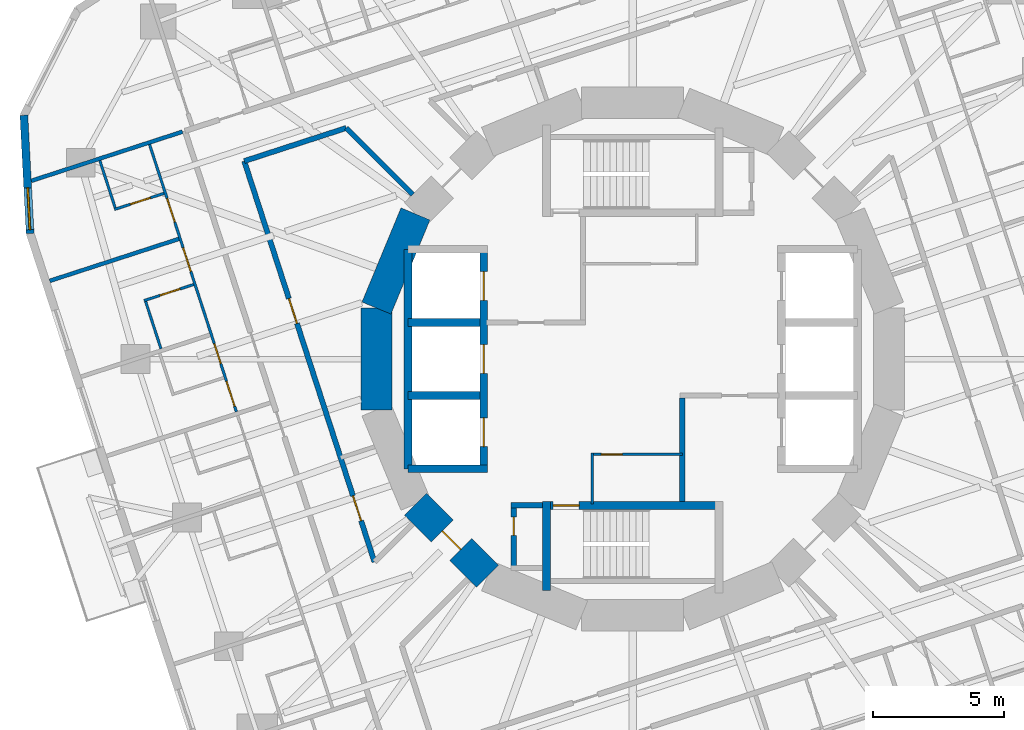
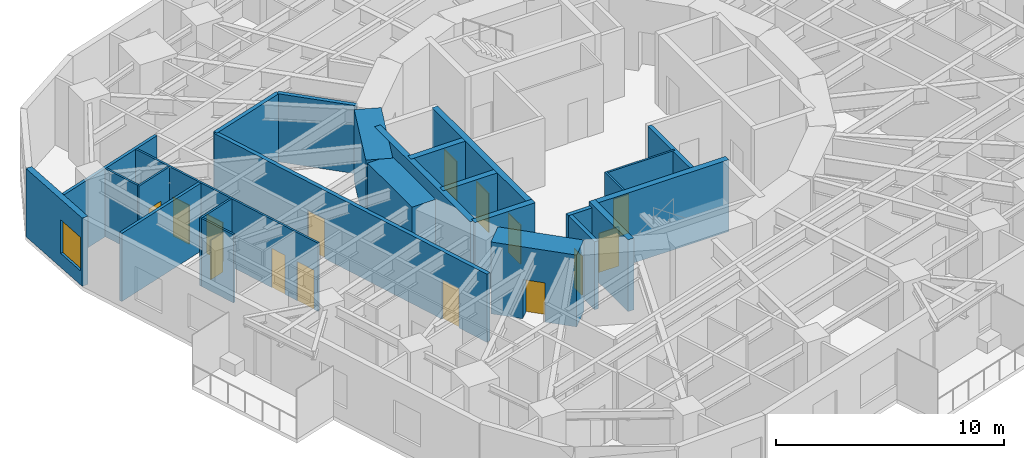
# One storey, part 6 of 13: 26 walls, 15 doors, 1 window, 16 openings.
"""IFC4 building model written with IfcOpenShell, lengths in metres."""

from ifc_helpers import new_model, si_unit, direction, frame, frame_2d, origin, place, context, subcontext, project, spatial, rectangle, extrude, material, layer, layer_set, type_object, element, fill, save


model = new_model("IFC4")

# Units and contexts
model_context = context("Model", 3, precision=1e-05, world=origin(), true_north=direction((0.0, 1.0)))
body_context = subcontext(model_context, "Body", "Model", "MODEL_VIEW")
ifc_project = project(units=[si_unit("LENGTHUNIT", "METRE"), si_unit("AREAUNIT", "SQUARE_METRE"), si_unit("VOLUMEUNIT", "CUBIC_METRE"), si_unit("PLANEANGLEUNIT", "RADIAN"), si_unit("MASSUNIT", "GRAM", prefix="KILO")], contexts=[model_context])

# Site, building, storey
site_placement = place(None, origin())
site = spatial("IfcSite", under=ifc_project, at=site_placement, CompositionType="ELEMENT")
building_placement = place(site_placement, origin())
building = spatial("IfcBuilding", under=site, at=building_placement, Name="Nakasero Lantern House", CompositionType="ELEMENT")
storey_placement = place(building_placement, frame((0.0, 0.0, 161.050048828125)))
storey = spatial("IfcBuildingStorey", under=building, at=storey_placement, Name="L39", CompositionType="ELEMENT", Elevation=161.050048828125)

# Wall, openings, doors
ifc_material_1 = material(Name="Blockwork", Category="masonry")
ifc_layer_1 = layer(ifc_material_1, 0.10009765625)
ifc_layer_set_1 = layer_set([ifc_layer_1], Name="Cluster hall wall 100")
wall_type_1 = type_object("IfcWallType", Name="Cluster hall wall 100", PredefinedType="PARTITIONING", material=ifc_layer_set_1)
wall_1_placement = place(storey_placement, frame((-18.492919921875, 8.21240234375, 0.0), z_axis=(0.0, 0.0, 1.0), x_axis=(0.309022441572, -0.951054746376, 0.0)))
wall_1 = element("IfcWall", 1, at=wall_1_placement, inside=storey, type_object=wall_type_1, Name="Cluster hall wall L39 HW2-0", PredefinedType="PARTITIONING", context=body_context, shape_type="SweptSolid", body=[
    extrude(rectangle(XDim=10.758056640625, YDim=0.10009765625, at=frame_2d((5.37890625, 0.0))), origin(), (0.0, 0.0, 1.0), 3.64990234375),
])
opening_1_placement = place(wall_1_placement, frame((9.532958984375, 0.0, 0.0)))
opening_1 = element("IfcOpeningElement", 2, at=opening_1_placement, cuts=wall_1, Name="Opening D03", PredefinedType="OPENING", context=body_context, shape_type="SweptSolid", body=[
    extrude(rectangle(XDim=1.0, YDim=2.10009765625, at=frame_2d((0.5, 1.050048828125))), frame((0.0, 0.070068359375, 0.0), z_axis=(0.0, -1.0, 0.0), x_axis=(1.0, 0.0, 0.0)), (0.0, 0.0, 1.0), 0.14013671875),
])
opening_2_placement = place(wall_1_placement, frame((8.01904296875, 0.0, 0.0)))
opening_2 = element("IfcOpeningElement", 3, at=opening_2_placement, cuts=wall_1, Name="Opening D02", PredefinedType="OPENING", context=body_context, shape_type="SweptSolid", body=[
    extrude(rectangle(XDim=0.800048828125, YDim=2.10009765625, at=frame_2d((0.39990234375, 1.050048828125))), frame((0.0, 0.070068359375, 0.0), z_axis=(0.0, -1.0, 0.0), x_axis=(1.0, 0.0, 0.0)), (0.0, 0.0, 1.0), 0.14013671875),
])
opening_3_placement = place(wall_1_placement, frame((2.175048828125, 0.0, 0.0)))
opening_3 = element("IfcOpeningElement", 4, at=opening_3_placement, cuts=wall_1, Name="Opening D01", PredefinedType="OPENING", context=body_context, shape_type="SweptSolid", body=[
    extrude(rectangle(XDim=0.949951171875, YDim=2.10009765625, at=frame_2d((0.47509765625, 1.050048828125))), frame((0.0, 0.070068359375, 0.0), z_axis=(0.0, -1.0, 0.0), x_axis=(1.0, 0.0, 0.0)), (0.0, 0.0, 1.0), 0.14013671875),
])
opening_4_placement = place(wall_1_placement, frame((4.159423828125, 0.0, 0.0)))
opening_4 = element("IfcOpeningElement", 5, at=opening_4_placement, cuts=wall_1, Name="Opening D01", PredefinedType="OPENING", context=body_context, shape_type="SweptSolid", body=[
    extrude(rectangle(XDim=0.949951171875, YDim=2.10009765625, at=frame_2d((0.47509765625, 1.050048828125))), frame((0.0, 0.070068359375, 0.0), z_axis=(0.0, -1.0, 0.0), x_axis=(1.0, 0.0, 0.0)), (0.0, 0.0, 1.0), 0.14013671875),
])
ifc_material_2 = material(Name="Timber C24", Category="wood")
door_type_1 = type_object("IfcDoorType", Name="Bedroom door FD30S 950", OperationType="SINGLE_SWING_LEFT", PredefinedType="DOOR", material=ifc_material_2)
door_1_placement = place(opening_3_placement, origin())
door_1 = element("IfcDoor", 6, at=door_1_placement, inside=storey, type_object=door_type_1, Name="Door L39 D2-00", OperationType="SINGLE_SWING_LEFT", OverallHeight=2.10009765625, OverallWidth=0.949951171875, PredefinedType="DOOR", context=body_context, shape_type="SweptSolid", body=[
    extrude(rectangle(XDim=0.949951171875, YDim=2.10009765625, at=frame_2d((0.47509765625, 1.050048828125))), frame((0.0, 0.02490234375, 0.0), z_axis=(0.0, -1.0, 0.0), x_axis=(1.0, 0.0, 0.0)), (0.0, 0.0, 1.0), 0.050048828125),
])
fill(opening_3, door_1)
door_2_placement = place(opening_4_placement, origin())
door_2 = element("IfcDoor", 7, at=door_2_placement, inside=storey, type_object=door_type_1, Name="Door L39 D2-01", OperationType="SINGLE_SWING_LEFT", OverallHeight=2.10009765625, OverallWidth=0.949951171875, PredefinedType="DOOR", context=body_context, shape_type="SweptSolid", body=[
    extrude(rectangle(XDim=0.949951171875, YDim=2.10009765625, at=frame_2d((0.47509765625, 1.050048828125))), frame((0.0, 0.02490234375, 0.0), z_axis=(0.0, -1.0, 0.0), x_axis=(1.0, 0.0, 0.0)), (0.0, 0.0, 1.0), 0.050048828125),
])
fill(opening_4, door_2)
ifc_material_3 = material(Name="Timber C24", Category="wood")
door_type_2 = type_object("IfcDoorType", Name="En-suite door 800", OperationType="SINGLE_SWING_RIGHT", PredefinedType="DOOR", material=ifc_material_3)
door_3_placement = place(opening_2_placement, origin())
door_3 = element("IfcDoor", 8, at=door_3_placement, inside=storey, type_object=door_type_2, Name="Door L39 DSH2-0", OperationType="SINGLE_SWING_RIGHT", OverallHeight=2.10009765625, OverallWidth=0.800048828125, PredefinedType="DOOR", context=body_context, shape_type="SweptSolid", body=[
    extrude(rectangle(XDim=0.800048828125, YDim=2.10009765625, at=frame_2d((0.39990234375, 1.050048828125))), frame((0.0, 0.02490234375, 0.0), z_axis=(0.0, -1.0, 0.0), x_axis=(1.0, 0.0, 0.0)), (0.0, 0.0, 1.0), 0.050048828125),
])
fill(opening_2, door_3)
ifc_material_4 = material(Name="Timber C24", Category="wood")
door_type_3 = type_object("IfcDoorType", Name="Lounge door FD30S 1000", OperationType="SINGLE_SWING_LEFT", PredefinedType="DOOR", material=ifc_material_4)
door_4_placement = place(opening_1_placement, origin())
door_4 = element("IfcDoor", 9, at=door_4_placement, inside=storey, type_object=door_type_3, Name="Door L39 DH2-0", OperationType="SINGLE_SWING_RIGHT", OverallHeight=2.10009765625, OverallWidth=1.0, PredefinedType="DOOR", context=body_context, shape_type="SweptSolid", body=[
    extrude(rectangle(XDim=1.0, YDim=2.10009765625, at=frame_2d((0.5, 1.050048828125))), frame((0.0, 0.02490234375, 0.0), z_axis=(0.0, -1.0, 0.0), x_axis=(1.0, 0.0, 0.0)), (0.0, 0.0, 1.0), 0.050048828125),
])
fill(opening_1, door_4)

ifc_material_5 = material(Name="Concrete C50/60", Category="concrete")
ifc_layer_2 = layer(ifc_material_5, 0.300048828125)
ifc_layer_set_2 = layer_set([ifc_layer_2], Name="Core inner wall 300")
wall_type_2 = type_object("IfcWallType", Name="Core inner wall 300", PredefinedType="SHEAR", material=ifc_layer_set_2)
wall_2_placement = place(storey_placement, frame((-5.699951171875, -4.199951171875, 0.0), z_axis=(0.0, 0.0, 1.0), x_axis=(0.0, 1.0, 0.0)))
wall_2 = element("IfcWall", 10, at=wall_2_placement, inside=storey, type_object=wall_type_2, Name="Core inner wall L39 LW", PredefinedType="SHEAR", context=body_context, shape_type="SweptSolid", body=[
    extrude(rectangle(XDim=8.39990234375, YDim=0.300048828125, at=frame_2d((4.199951171875, 0.0))), origin(), (0.0, 0.0, 1.0), 3.849853515625),
])
opening_5_placement = place(wall_2_placement, frame((0.85009765625, 0.0, 0.0)))
opening_5 = element("IfcOpeningElement", 11, at=opening_5_placement, cuts=wall_2, Name="Opening LD", PredefinedType="OPENING", context=body_context, shape_type="SweptSolid", body=[
    extrude(rectangle(XDim=1.10009765625, YDim=2.10009765625, at=frame_2d((0.550048828125, 1.050048828125))), frame((0.0, 0.169921875, 0.0), z_axis=(0.0, -1.0, 0.0), x_axis=(1.0, 0.0, 0.0)), (0.0, 0.0, 1.0), 0.340087890625),
])
opening_6_placement = place(wall_2_placement, frame((3.64990234375, 0.0, 0.0)))
opening_6 = element("IfcOpeningElement", 12, at=opening_6_placement, cuts=wall_2, Name="Opening LD", PredefinedType="OPENING", context=body_context, shape_type="SweptSolid", body=[
    extrude(rectangle(XDim=1.10009765625, YDim=2.10009765625, at=frame_2d((0.550048828125, 1.050048828125))), frame((0.0, 0.169921875, 0.0), z_axis=(0.0, -1.0, 0.0), x_axis=(1.0, 0.0, 0.0)), (0.0, 0.0, 1.0), 0.340087890625),
])
opening_7_placement = place(wall_2_placement, frame((6.449951171875, 0.0, 0.0)))
opening_7 = element("IfcOpeningElement", 13, at=opening_7_placement, cuts=wall_2, Name="Opening LD", PredefinedType="OPENING", context=body_context, shape_type="SweptSolid", body=[
    extrude(rectangle(XDim=1.10009765625, YDim=2.10009765625, at=frame_2d((0.550048828125, 1.050048828125))), frame((0.0, 0.169921875, 0.0), z_axis=(0.0, -1.0, 0.0), x_axis=(1.0, 0.0, 0.0)), (0.0, 0.0, 1.0), 0.340087890625),
])
ifc_material_6 = material(Name="Steel S355", Category="steel")
door_type_4 = type_object("IfcDoorType", Name="Lift landing door E120 1100", OperationType="SLIDING_TO_LEFT", PredefinedType="DOOR", material=ifc_material_6)
door_5_placement = place(opening_5_placement, origin())
door_5 = element("IfcDoor", 14, at=door_5_placement, inside=storey, type_object=door_type_4, Name="Lift landing door LW1", OperationType="SLIDING_TO_LEFT", OverallHeight=2.10009765625, OverallWidth=1.10009765625, PredefinedType="DOOR", context=body_context, shape_type="SweptSolid", body=[
    extrude(rectangle(XDim=1.10009765625, YDim=2.10009765625, at=frame_2d((0.550048828125, 1.050048828125))), frame((0.0, 0.02490234375, 0.0), z_axis=(0.0, -1.0, 0.0), x_axis=(1.0, 0.0, 0.0)), (0.0, 0.0, 1.0), 0.050048828125),
])
fill(opening_5, door_5)
door_6_placement = place(opening_6_placement, origin())
door_6 = element("IfcDoor", 15, at=door_6_placement, inside=storey, type_object=door_type_4, Name="Lift landing door LW2", OperationType="SLIDING_TO_LEFT", OverallHeight=2.10009765625, OverallWidth=1.10009765625, PredefinedType="DOOR", context=body_context, shape_type="SweptSolid", body=[
    extrude(rectangle(XDim=1.10009765625, YDim=2.10009765625, at=frame_2d((0.550048828125, 1.050048828125))), frame((0.0, 0.02490234375, 0.0), z_axis=(0.0, -1.0, 0.0), x_axis=(1.0, 0.0, 0.0)), (0.0, 0.0, 1.0), 0.050048828125),
])
fill(opening_6, door_6)
door_7_placement = place(opening_7_placement, origin())
door_7 = element("IfcDoor", 16, at=door_7_placement, inside=storey, type_object=door_type_4, Name="Lift landing door LW3", OperationType="SLIDING_TO_LEFT", OverallHeight=2.10009765625, OverallWidth=1.10009765625, PredefinedType="DOOR", context=body_context, shape_type="SweptSolid", body=[
    extrude(rectangle(XDim=1.10009765625, YDim=2.10009765625, at=frame_2d((0.550048828125, 1.050048828125))), frame((0.0, 0.02490234375, 0.0), z_axis=(0.0, -1.0, 0.0), x_axis=(1.0, 0.0, 0.0)), (0.0, 0.0, 1.0), 0.050048828125),
])
fill(opening_7, door_7)

# Walls
wall_3_placement = place(storey_placement, frame((-8.60009765625, -4.199951171875, 0.0), z_axis=(0.0, 0.0, 1.0), x_axis=(1.0, 0.0, 0.0)))
element("IfcWall", 17, at=wall_3_placement, inside=storey, type_object=wall_type_2, Name="Core inner wall L39 LWS", PredefinedType="SHEAR", context=body_context, shape_type="SweptSolid", body=[
    extrude(rectangle(XDim=3.050048828125, YDim=0.300048828125, at=frame_2d((1.52490234375, 0.0))), origin(), (0.0, 0.0, 1.0), 3.849853515625),
])
wall_4_placement = place(storey_placement, frame((-8.60009765625, -4.199951171875, 0.0), z_axis=(0.0, 0.0, 1.0), x_axis=(0.0, 1.0, 0.0)))
element("IfcWall", 18, at=wall_4_placement, inside=storey, type_object=wall_type_2, Name="Core inner wall L39 LWB", PredefinedType="SHEAR", context=body_context, shape_type="SweptSolid", body=[
    extrude(rectangle(XDim=8.39990234375, YDim=0.300048828125, at=frame_2d((4.199951171875, 0.0))), origin(), (0.0, 0.0, 1.0), 3.849853515625),
])
for number, where, z_axis, x_axis, name in (
    (19, (-8.60009765625, -1.39990234375, 0.0), (0.0, 0.0, 1.0), (1.0, 0.0, 0.0), "Core inner wall L39 LW1"),
    (20, (-8.60009765625, 1.39990234375, 0.0), (0.0, 0.0, 1.0), (1.0, 0.0, 0.0), "Core inner wall L39 LW2"),
):
    element("IfcWall", number, at=place(storey_placement, frame(where, z_axis=z_axis, x_axis=x_axis)), inside=storey, type_object=wall_type_2, Name=name, PredefinedType="SHEAR", context=body_context, shape_type="SweptSolid", body=[
        extrude(rectangle(XDim=2.75, YDim=0.300048828125, at=frame_2d((1.375, 0.0))), origin(), (0.0, 0.0, 1.0), 3.849853515625),
    ])

# Wall, opening, door
wall_5_placement = place(storey_placement, frame((-3.449951171875, -5.60009765625, 0.0), z_axis=(0.0, 0.0, 1.0), x_axis=(1.0, 0.0, 0.0)))
wall_5 = element("IfcWall", 21, at=wall_5_placement, inside=storey, type_object=wall_type_2, Name="Core inner wall L39 SS", PredefinedType="SHEAR", context=body_context, shape_type="SweptSolid", body=[
    extrude(rectangle(XDim=6.89990234375, YDim=0.300048828125, at=frame_2d((3.449951171875, 0.0))), origin(), (0.0, 0.0, 1.0), 3.849853515625),
])
opening_8_placement = place(wall_5_placement, frame((0.39990234375, 0.0, 0.0)))
opening_8 = element("IfcOpeningElement", 22, at=opening_8_placement, cuts=wall_5, Name="Opening D05", PredefinedType="OPENING", context=body_context, shape_type="SweptSolid", body=[
    extrude(rectangle(XDim=1.0, YDim=2.10009765625, at=frame_2d((0.5, 1.050048828125))), frame((0.0, 0.169921875, 0.0), z_axis=(0.0, -1.0, 0.0), x_axis=(1.0, 0.0, 0.0)), (0.0, 0.0, 1.0), 0.340087890625),
])
ifc_material_7 = material(Name="Timber C24", Category="wood")
door_type_5 = type_object("IfcDoorType", Name="Core door FD60S 1000", OperationType="SINGLE_SWING_LEFT", PredefinedType="DOOR", material=ifc_material_7)
door_8_placement = place(opening_8_placement, origin())
door_8 = element("IfcDoor", 23, at=door_8_placement, inside=storey, type_object=door_type_5, Name="Door L39 D-ST2", OperationType="SINGLE_SWING_LEFT", OverallHeight=2.10009765625, OverallWidth=1.0, PredefinedType="DOOR", context=body_context, shape_type="SweptSolid", body=[
    extrude(rectangle(XDim=1.0, YDim=2.10009765625, at=frame_2d((0.5, 1.050048828125))), frame((0.0, 0.02490234375, 0.0), z_axis=(0.0, -1.0, 0.0), x_axis=(1.0, 0.0, 0.0)), (0.0, 0.0, 1.0), 0.050048828125),
])
fill(opening_8, door_8)

# Wall
wall_6_placement = place(storey_placement, frame((-3.300048828125, -5.449951171875, 0.0), z_axis=(0.0, 0.0, 1.0), x_axis=(0.0, -1.0, 0.0)))
element("IfcWall", 24, at=wall_6_placement, inside=storey, type_object=wall_type_2, Name="Core inner wall L39 SSW", PredefinedType="SHEAR", context=body_context, shape_type="SweptSolid", body=[
    extrude(rectangle(XDim=3.400146484375, YDim=0.300048828125, at=frame_2d((1.7001953125, 0.0))), origin(), (0.0, 0.0, 1.0), 3.849853515625),
])

# Wall, opening, door
ifc_material_8 = material(Name="Blockwork", Category="masonry")
ifc_layer_3 = layer(ifc_material_8, 0.10009765625)
ifc_layer_set_3 = layer_set([ifc_layer_3], Name="Core room wall 100")
wall_type_3 = type_object("IfcWallType", Name="Core room wall 100", PredefinedType="PARTITIONING", material=ifc_layer_set_3)
wall_7_placement = place(storey_placement, frame((-1.60009765625, -3.64990234375, 0.0), z_axis=(0.0, 0.0, 1.0), x_axis=(1.0, 0.0, 0.0)))
wall_7 = element("IfcWall", 25, at=wall_7_placement, inside=storey, type_object=wall_type_3, Name="Core room wall L39 CR-SWN", PredefinedType="PARTITIONING", context=body_context, shape_type="SweptSolid", body=[
    extrude(rectangle(XDim=3.5, YDim=0.10009765625, at=frame_2d((1.75, 0.0))), origin(), (0.0, 0.0, 1.0), 3.64990234375),
])
opening_9_placement = place(wall_7_placement, frame((0.39990234375, 0.0, 0.0)))
opening_9 = element("IfcOpeningElement", 26, at=opening_9_placement, cuts=wall_7, Name="Opening D15", PredefinedType="OPENING", context=body_context, shape_type="SweptSolid", body=[
    extrude(rectangle(XDim=0.800048828125, YDim=2.10009765625, at=frame_2d((0.39990234375, 1.050048828125))), frame((0.0, 0.070068359375, 0.0), z_axis=(0.0, -1.0, 0.0), x_axis=(1.0, 0.0, 0.0)), (0.0, 0.0, 1.0), 0.14013671875),
])
ifc_material_9 = material(Name="Timber C24", Category="wood")
door_type_6 = type_object("IfcDoorType", Name="Cleaner's store door FD30S 800", OperationType="SINGLE_SWING_LEFT", PredefinedType="DOOR", material=ifc_material_9)
door_9_placement = place(opening_9_placement, origin())
door_9 = element("IfcDoor", 27, at=door_9_placement, inside=storey, type_object=door_type_6, Name="Door L39 D-CR-SW", OperationType="SINGLE_SWING_LEFT", OverallHeight=2.10009765625, OverallWidth=0.800048828125, PredefinedType="DOOR", context=body_context, shape_type="SweptSolid", body=[
    extrude(rectangle(XDim=0.800048828125, YDim=2.10009765625, at=frame_2d((0.39990234375, 1.050048828125))), frame((0.0, 0.02490234375, 0.0), z_axis=(0.0, -1.0, 0.0), x_axis=(1.0, 0.0, 0.0)), (0.0, 0.0, 1.0), 0.050048828125),
])
fill(opening_9, door_9)

# Walls
wall_8_placement = place(storey_placement, frame((-1.550048828125, -5.550048828125, 0.0), z_axis=(0.0, 0.0, 1.0), x_axis=(0.0, 1.0, 0.0)))
element("IfcWall", 28, at=wall_8_placement, inside=storey, type_object=wall_type_3, Name="Core room wall L39 CR-SWW", PredefinedType="PARTITIONING", context=body_context, shape_type="SweptSolid", body=[
    extrude(rectangle(XDim=1.949951171875, YDim=0.10009765625, at=frame_2d((0.97509765625, 0.0))), origin(), (0.0, 0.0, 1.0), 3.64990234375),
])
ifc_material_10 = material(Name="Concrete C50/60", Category="concrete")
ifc_layer_4 = layer(ifc_material_10, 1.199951171875)
ifc_layer_set_4 = layer_set([ifc_layer_4], Name="Core wall 1200")
wall_type_4 = type_object("IfcWallType", Name="Core wall 1200", PredefinedType="SHEAR", material=ifc_layer_set_4)
for number, where, z_axis, x_axis, name in (
    (29, (-8.314697265625, 5.5556640625, 0.0), (0.0, 0.0, 1.0), (-0.382690736062, -0.923876507187, 0.0), "Core wall L39 facet 7"),
    (30, (-9.807861328125, 1.950927734375, 0.0), (0.0, 0.0, 1.0), (0.0, -1.0, 0.0), "Core wall L39 facet 8"),
):
    element("IfcWall", number, at=place(storey_placement, frame(where, z_axis=z_axis, x_axis=x_axis)), inside=storey, type_object=wall_type_4, Name=name, PredefinedType="SHEAR", context=body_context, shape_type="SweptSolid", body=[
        extrude(rectangle(XDim=3.90185546875, YDim=1.199951171875, at=frame_2d((1.950927734375, 0.0))), origin(), (0.0, 0.0, 1.0), 3.849853515625),
    ])

# Wall, opening, door
wall_9_placement = place(storey_placement, frame((-8.314697265625, -5.5556640625, 0.0), z_axis=(0.0, 0.0, 1.0), x_axis=(0.707106781187, -0.707106781187, 0.0)))
wall_9 = element("IfcWall", 31, at=wall_9_placement, inside=storey, type_object=wall_type_4, Name="Core wall L39 facet 10", PredefinedType="SHEAR", context=body_context, shape_type="SweptSolid", body=[
    extrude(rectangle(XDim=3.90185546875, YDim=1.199951171875, at=frame_2d((1.950927734375, 0.0))), origin(), (0.0, 0.0, 1.0), 3.849853515625),
])
opening_10_placement = place(wall_9_placement, frame((1.450927734375, 0.0, 0.0)))
opening_10 = element("IfcOpeningElement", 32, at=opening_10_placement, cuts=wall_9, Name="Opening D05", PredefinedType="OPENING", context=body_context, shape_type="SweptSolid", body=[
    extrude(rectangle(XDim=1.0, YDim=2.10009765625, at=frame_2d((0.5, 1.050048828125))), frame((0.0, 0.619873046875, 0.0), z_axis=(0.0, -1.0, 0.0), x_axis=(1.0, 0.0, 0.0)), (0.0, 0.0, 1.0), 1.239990234375),
])
door_10_placement = place(opening_10_placement, origin())
door_10 = element("IfcDoor", 33, at=door_10_placement, inside=storey, type_object=door_type_5, Name="Door L39 D-CORE10", OperationType="SINGLE_SWING_LEFT", OverallHeight=2.10009765625, OverallWidth=1.0, PredefinedType="DOOR", context=body_context, shape_type="SweptSolid", body=[
    extrude(rectangle(XDim=1.0, YDim=2.10009765625, at=frame_2d((0.5, 1.050048828125))), frame((0.0, 0.02490234375, 0.0), z_axis=(0.0, -1.0, 0.0), x_axis=(1.0, 0.0, 0.0)), (0.0, 0.0, 1.0), 0.050048828125),
])
fill(opening_10, door_10)

# Wall
ifc_material_11 = material(Name="Blockwork", Category="masonry")
ifc_layer_5 = layer(ifc_material_11, 0.199951171875)
ifc_layer_set_5 = layer_set([ifc_layer_5], Name="Corridor wall 200")
wall_type_5 = type_object("IfcWallType", Name="Corridor wall 200", PredefinedType="PARTITIONING", material=ifc_layer_set_5)
wall_10_placement = place(storey_placement, frame((-10.965576171875, 8.84423828125, 0.0), z_axis=(0.0, 0.0, 1.0), x_axis=(-0.951070782935, -0.308973082722, 0.0)))
element("IfcWall", 34, at=wall_10_placement, inside=storey, type_object=wall_type_5, Name="Corridor wall L39 IW1-1", PredefinedType="PARTITIONING", context=body_context, shape_type="SweptSolid", body=[
    extrude(rectangle(XDim=4.104248046875, YDim=0.199951171875, at=frame_2d((2.05224609375, 0.0))), origin(), (0.0, 0.0, 1.0), 3.64990234375),
])

# Wall, openings, doors
wall_11_placement = place(storey_placement, frame((-14.868896484375, 7.576171875, 0.0), z_axis=(0.0, 0.0, 1.0), x_axis=(0.309016591385, -0.951056647235, 0.0)))
wall_11 = element("IfcWall", 35, at=wall_11_placement, inside=storey, type_object=wall_type_5, Name="Corridor wall L39 IW2-0", PredefinedType="PARTITIONING", context=body_context, shape_type="SweptSolid", body=[
    extrude(rectangle(XDim=16.12890625, YDim=0.199951171875, at=frame_2d((8.064453125, 0.0))), origin(), (0.0, 0.0, 1.0), 3.64990234375),
])
opening_11_placement = place(wall_11_placement, frame((13.471923828125, 0.0, 0.0)))
opening_11 = element("IfcOpeningElement", 36, at=opening_11_placement, cuts=wall_11, Name="Opening D07", PredefinedType="OPENING", context=body_context, shape_type="SweptSolid", body=[
    extrude(rectangle(XDim=1.0, YDim=2.10009765625, at=frame_2d((0.5, 1.050048828125))), frame((0.0, 0.119873046875, 0.0), z_axis=(0.0, -1.0, 0.0), x_axis=(1.0, 0.0, 0.0)), (0.0, 0.0, 1.0), 0.239990234375),
])
opening_12_placement = place(wall_11_placement, frame((5.532470703125, 0.0, 0.0)))
opening_12 = element("IfcOpeningElement", 37, at=opening_12_placement, cuts=wall_11, Name="Opening D07", PredefinedType="OPENING", context=body_context, shape_type="SweptSolid", body=[
    extrude(rectangle(XDim=1.0, YDim=2.10009765625, at=frame_2d((0.5, 1.050048828125))), frame((0.0, 0.119873046875, 0.0), z_axis=(0.0, -1.0, 0.0), x_axis=(1.0, 0.0, 0.0)), (0.0, 0.0, 1.0), 0.239990234375),
])
ifc_material_12 = material(Name="Timber C24", Category="wood")
door_type_7 = type_object("IfcDoorType", Name="Room door FD30S 1000", OperationType="SINGLE_SWING_LEFT", PredefinedType="DOOR", material=ifc_material_12)
door_11_placement = place(opening_11_placement, origin())
door_11 = element("IfcDoor", 38, at=door_11_placement, inside=storey, type_object=door_type_7, Name="Door L39 DI1", OperationType="SINGLE_SWING_RIGHT", OverallHeight=2.10009765625, OverallWidth=1.0, PredefinedType="DOOR", context=body_context, shape_type="SweptSolid", body=[
    extrude(rectangle(XDim=1.0, YDim=2.10009765625, at=frame_2d((0.5, 1.050048828125))), frame((0.0, 0.02490234375, 0.0), z_axis=(0.0, -1.0, 0.0), x_axis=(1.0, 0.0, 0.0)), (0.0, 0.0, 1.0), 0.050048828125),
])
fill(opening_11, door_11)
door_12_placement = place(opening_12_placement, origin())
door_12 = element("IfcDoor", 39, at=door_12_placement, inside=storey, type_object=door_type_7, Name="Door L39 DI8", OperationType="SINGLE_SWING_LEFT", OverallHeight=2.10009765625, OverallWidth=1.0, PredefinedType="DOOR", context=body_context, shape_type="SweptSolid", body=[
    extrude(rectangle(XDim=1.0, YDim=2.10009765625, at=frame_2d((0.5, 1.050048828125))), frame((0.0, 0.02490234375, 0.0), z_axis=(0.0, -1.0, 0.0), x_axis=(1.0, 0.0, 0.0)), (0.0, 0.0, 1.0), 0.050048828125),
])
fill(opening_12, door_12)

# Wall
wall_12_placement = place(storey_placement, frame((-8.420166015625, 6.298828125, 0.0), z_axis=(0.0, 0.0, 1.0), x_axis=(-0.707106781187, 0.707106781187, 0.0)))
element("IfcWall", 40, at=wall_12_placement, inside=storey, type_object=wall_type_5, Name="Corridor wall L39 PS06a", PredefinedType="PARTITIONING", context=body_context, shape_type="SweptSolid", body=[
    extrude(rectangle(XDim=3.599853515625, YDim=0.199951171875, at=frame_2d((1.7998046875, 0.0))), origin(), (0.0, 0.0, 1.0), 3.64990234375),
])

# Wall, opening, door
ifc_material_13 = material(Name="Blockwork", Category="masonry")
ifc_layer_6 = layer(ifc_material_13, 0.10009765625)
ifc_layer_set_6 = layer_set([ifc_layer_6], Name="En-suite wall 100")
wall_type_6 = type_object("IfcWallType", Name="En-suite wall 100", PredefinedType="PARTITIONING", material=ifc_layer_set_6)
wall_13_placement = place(storey_placement, frame((-17.937744140625, 6.34228515625, 0.0), z_axis=(0.0, 0.0, 1.0), x_axis=(-0.951072636193, -0.308967378027, 0.0)))
wall_13 = element("IfcWall", 41, at=wall_13_placement, inside=storey, type_object=wall_type_6, Name="En-suite wall L39 ES2-00", PredefinedType="PARTITIONING", context=body_context, shape_type="SweptSolid", body=[
    extrude(rectangle(XDim=2.0, YDim=0.10009765625, at=frame_2d((1.0, 0.0))), origin(), (0.0, 0.0, 1.0), 3.64990234375),
])
opening_13_placement = place(wall_13_placement, frame((0.550048828125, 0.0, 0.0)))
opening_13 = element("IfcOpeningElement", 42, at=opening_13_placement, cuts=wall_13, Name="Opening D02", PredefinedType="OPENING", context=body_context, shape_type="SweptSolid", body=[
    extrude(rectangle(XDim=0.800048828125, YDim=2.10009765625, at=frame_2d((0.39990234375, 1.050048828125))), frame((0.0, 0.070068359375, 0.0), z_axis=(0.0, -1.0, 0.0), x_axis=(1.0, 0.0, 0.0)), (0.0, 0.0, 1.0), 0.14013671875),
])
door_13_placement = place(opening_13_placement, origin())
door_13 = element("IfcDoor", 43, at=door_13_placement, inside=storey, type_object=door_type_2, Name="Door L39 DE2-00", OperationType="SINGLE_SWING_LEFT", OverallHeight=2.10009765625, OverallWidth=0.800048828125, PredefinedType="DOOR", context=body_context, shape_type="SweptSolid", body=[
    extrude(rectangle(XDim=0.800048828125, YDim=2.10009765625, at=frame_2d((0.39990234375, 1.050048828125))), frame((0.0, 0.02490234375, 0.0), z_axis=(0.0, -1.0, 0.0), x_axis=(1.0, 0.0, 0.0)), (0.0, 0.0, 1.0), 0.050048828125),
])
fill(opening_13, door_13)

# Wall
wall_14_placement = place(storey_placement, frame((-20.39501953125, 7.59423828125, 0.0), z_axis=(0.0, 0.0, 1.0), x_axis=(0.309048298632, -0.951046344356, 0.0)))
element("IfcWall", 44, at=wall_14_placement, inside=storey, type_object=wall_type_6, Name="En-suite wall L39 EE2-00", PredefinedType="PARTITIONING", context=body_context, shape_type="SweptSolid", body=[
    extrude(rectangle(XDim=1.89990234375, YDim=0.10009765625, at=frame_2d((0.949951171875, 0.0))), origin(), (0.0, 0.0, 1.0), 3.64990234375),
])

# Wall, opening, door
wall_15_placement = place(storey_placement, frame((-16.803955078125, 2.85302734375, 0.0), z_axis=(0.0, 0.0, 1.0), x_axis=(-0.951036759863, -0.309077791808, 0.0)))
wall_15 = element("IfcWall", 45, at=wall_15_placement, inside=storey, type_object=wall_type_6, Name="En-suite wall L39 ES2-01", PredefinedType="PARTITIONING", context=body_context, shape_type="SweptSolid", body=[
    extrude(rectangle(XDim=2.0, YDim=0.10009765625, at=frame_2d((1.0, 0.0))), origin(), (0.0, 0.0, 1.0), 3.64990234375),
])
opening_14_placement = place(wall_15_placement, frame((0.550048828125, 0.0, 0.0)))
opening_14 = element("IfcOpeningElement", 46, at=opening_14_placement, cuts=wall_15, Name="Opening D02", PredefinedType="OPENING", context=body_context, shape_type="SweptSolid", body=[
    extrude(rectangle(XDim=0.800048828125, YDim=2.10009765625, at=frame_2d((0.39990234375, 1.050048828125))), frame((0.0, 0.070068359375, 0.0), z_axis=(0.0, -1.0, 0.0), x_axis=(1.0, 0.0, 0.0)), (0.0, 0.0, 1.0), 0.14013671875),
])
door_14_placement = place(opening_14_placement, origin())
door_14 = element("IfcDoor", 47, at=door_14_placement, inside=storey, type_object=door_type_2, Name="Door L39 DE2-01", OperationType="SINGLE_SWING_LEFT", OverallHeight=2.10009765625, OverallWidth=0.800048828125, PredefinedType="DOOR", context=body_context, shape_type="SweptSolid", body=[
    extrude(rectangle(XDim=0.800048828125, YDim=2.10009765625, at=frame_2d((0.39990234375, 1.050048828125))), frame((0.0, 0.02490234375, 0.0), z_axis=(0.0, -1.0, 0.0), x_axis=(1.0, 0.0, 0.0)), (0.0, 0.0, 1.0), 0.050048828125),
])
fill(opening_14, door_14)

# Wall
wall_16_placement = place(storey_placement, frame((-18.64306640625, 2.202880859375, 0.0), z_axis=(0.0, 0.0, 1.0), x_axis=(0.308894308917, -0.951096370469, 0.0)))
element("IfcWall", 48, at=wall_16_placement, inside=storey, type_object=wall_type_6, Name="En-suite wall L39 EE2-01", PredefinedType="PARTITIONING", context=body_context, shape_type="SweptSolid", body=[
    extrude(rectangle(XDim=1.900146484375, YDim=0.10009765625, at=frame_2d((0.9501953125, 0.0))), origin(), (0.0, 0.0, 1.0), 3.64990234375),
])

# Wall, opening, window
ifc_material_14 = material(Name="Aluminium rainscreen on blockwork", Category="masonry")
ifc_layer_7 = layer(ifc_material_14, 0.300048828125)
ifc_layer_set_7 = layer_set([ifc_layer_7], Name="Facade wall 300")
wall_type_7 = type_object("IfcWallType", Name="Facade wall 300", PredefinedType="SOLIDWALL", material=ifc_layer_set_7)
wall_17_placement = place(storey_placement, frame((-23.3017578125, 9.3310546875, 0.0), z_axis=(0.0, 0.0, 1.0), x_axis=(0.052338164079, -0.998629419044, 0.0)))
wall_17 = element("IfcWall", 49, at=wall_17_placement, inside=storey, type_object=wall_type_7, Name="Facade wall L39 FW1C3", PredefinedType="SOLIDWALL", context=body_context, shape_type="SweptSolid", body=[
    extrude(rectangle(XDim=4.529296875, YDim=0.300048828125, at=frame_2d((2.2646484375, 0.0))), origin(), (0.0, 0.0, 1.0), 3.64990234375),
])
opening_15_placement = place(wall_17_placement, frame((2.784912109375, 0.0, 0.75)))
opening_15 = element("IfcOpeningElement", 50, at=opening_15_placement, cuts=wall_17, Name="Opening W01", PredefinedType="OPENING", context=body_context, shape_type="SweptSolid", body=[
    extrude(rectangle(XDim=1.60009765625, YDim=1.800048828125, at=frame_2d((0.800048828125, 0.89990234375))), frame((0.0, 0.169921875, 0.0), z_axis=(0.0, -1.0, 0.0), x_axis=(1.0, 0.0, 0.0)), (0.0, 0.0, 1.0), 0.340087890625),
])
ifc_material_15 = material(Name="Aluminium 6063-T6 and glass", Category="aluminium")
window_type = type_object("IfcWindowType", Name="Bedroom window 1600x1800", PartitioningType="SINGLE_PANEL", PredefinedType="WINDOW", material=ifc_material_15)
window_placement = place(opening_15_placement, origin())
window = element("IfcWindow", 51, at=window_placement, inside=storey, type_object=window_type, Name="Window L39 WN2-00", OverallHeight=1.800048828125, OverallWidth=1.60009765625, PartitioningType="SINGLE_PANEL", PredefinedType="WINDOW", context=body_context, shape_type="SweptSolid", body=[
    extrude(rectangle(XDim=1.60009765625, YDim=1.800048828125, at=frame_2d((0.800048828125, 0.89990234375))), frame((0.0, 0.030029296875, 0.0), z_axis=(0.0, -1.0, 0.0), x_axis=(1.0, 0.0, 0.0)), (0.0, 0.0, 1.0), 0.06005859375),
])
fill(opening_15, window)

# Wall
ifc_material_16 = material(Name="Blockwork", Category="masonry")
ifc_layer_8 = layer(ifc_material_16, 0.199951171875)
ifc_layer_set_8 = layer_set([ifc_layer_8], Name="Fire lobby wall 200")
wall_type_8 = type_object("IfcWallType", Name="Fire lobby wall 200", PredefinedType="PARTITIONING", material=ifc_layer_set_8)
wall_18_placement = place(storey_placement, frame((1.89990234375, -1.5, 0.0), z_axis=(0.0, 0.0, 1.0), x_axis=(0.0, -1.0, 0.0)))
element("IfcWall", 52, at=wall_18_placement, inside=storey, type_object=wall_type_8, Name="Fire lobby wall L39 W-FL2W", PredefinedType="PARTITIONING", context=body_context, shape_type="SweptSolid", body=[
    extrude(rectangle(XDim=3.949951171875, YDim=0.199951171875, at=frame_2d((1.97509765625, 0.0))), origin(), (0.0, 0.0, 1.0), 3.64990234375),
])

# Wall, opening, door
wall_19_placement = place(storey_placement, frame((-4.550048828125, -5.60009765625, 0.0), z_axis=(0.0, 0.0, 1.0), x_axis=(0.0, -1.0, 0.0)))
wall_19 = element("IfcWall", 53, at=wall_19_placement, inside=storey, type_object=wall_type_8, Name="Fire lobby wall L39 W-RS2W", PredefinedType="PARTITIONING", context=body_context, shape_type="SweptSolid", body=[
    extrude(rectangle(XDim=2.39990234375, YDim=0.199951171875, at=frame_2d((1.199951171875, 0.0))), origin(), (0.0, 0.0, 1.0), 3.64990234375),
])
opening_16_placement = place(wall_19_placement, frame((0.449951171875, 0.0, 0.0)))
opening_16 = element("IfcOpeningElement", 54, at=opening_16_placement, cuts=wall_19, Name="Opening D06", PredefinedType="OPENING", context=body_context, shape_type="SweptSolid", body=[
    extrude(rectangle(XDim=0.699951171875, YDim=2.10009765625, at=frame_2d((0.35009765625, 1.050048828125))), frame((0.0, 0.119873046875, 0.0), z_axis=(0.0, -1.0, 0.0), x_axis=(1.0, 0.0, 0.0)), (0.0, 0.0, 1.0), 0.239990234375),
])
ifc_material_17 = material(Name="Steel S355", Category="steel")
door_type_8 = type_object("IfcDoorType", Name="Riser door FD60 700", OperationType="SINGLE_SWING_LEFT", PredefinedType="DOOR", material=ifc_material_17)
door_15_placement = place(opening_16_placement, origin())
door_15 = element("IfcDoor", 55, at=door_15_placement, inside=storey, type_object=door_type_8, Name="Door L39 D-RS2", OperationType="SINGLE_SWING_LEFT", OverallHeight=2.10009765625, OverallWidth=0.699951171875, PredefinedType="DOOR", context=body_context, shape_type="SweptSolid", body=[
    extrude(rectangle(XDim=0.699951171875, YDim=2.10009765625, at=frame_2d((0.35009765625, 1.050048828125))), frame((0.0, 0.02490234375, 0.0), z_axis=(0.0, -1.0, 0.0), x_axis=(1.0, 0.0, 0.0)), (0.0, 0.0, 1.0), 0.050048828125),
])
fill(opening_16, door_15)

# Walls
wall_20_placement = place(storey_placement, frame((-3.449951171875, -5.60009765625, 0.0), z_axis=(0.0, 0.0, 1.0), x_axis=(-1.0, 0.0, 0.0)))
element("IfcWall", 56, at=wall_20_placement, inside=storey, type_object=wall_type_8, Name="Fire lobby wall L39 W-RS2N", PredefinedType="PARTITIONING", context=body_context, shape_type="SweptSolid", body=[
    extrude(rectangle(XDim=1.199951171875, YDim=0.199951171875, at=frame_2d((0.60009765625, 0.0))), origin(), (0.0, 0.0, 1.0), 3.64990234375),
])
ifc_material_18 = material(Name="Blockwork", Category="masonry")
ifc_layer_9 = layer(ifc_material_18, 0.14990234375)
ifc_layer_set_9 = layer_set([ifc_layer_9], Name="Party wall 150")
wall_type_9 = type_object("IfcWallType", Name="Party wall 150", PredefinedType="PARTITIONING", material=ifc_layer_set_9)
wall_21_placement = place(storey_placement, frame((-17.232177734375, 8.700927734375, 0.0), z_axis=(0.0, 0.0, 1.0), x_axis=(-0.951057081836, -0.309015253813, 0.0)))
element("IfcWall", 57, at=wall_21_placement, inside=storey, type_object=wall_type_9, Name="Party wall L39 PW2-00", PredefinedType="PARTITIONING", context=body_context, shape_type="SweptSolid", body=[
    extrude(rectangle(XDim=6.080322265625, YDim=0.14990234375, at=frame_2d((3.0400390625, 0.0))), origin(), (0.0, 0.0, 1.0), 3.64990234375),
])
wall_22_placement = place(storey_placement, frame((-17.370849609375, 4.59765625, 0.0), z_axis=(0.0, 0.0, 1.0), x_axis=(-0.951055112834, -0.309021313752, 0.0)))
element("IfcWall", 58, at=wall_22_placement, inside=storey, type_object=wall_type_9, Name="Party wall L39 PW2-01", PredefinedType="PARTITIONING", context=body_context, shape_type="SweptSolid", body=[
    extrude(rectangle(XDim=5.2001953125, YDim=0.14990234375, at=frame_2d((2.60009765625, 0.0))), origin(), (0.0, 0.0, 1.0), 3.64990234375),
])

save(model, "model.ifc")
